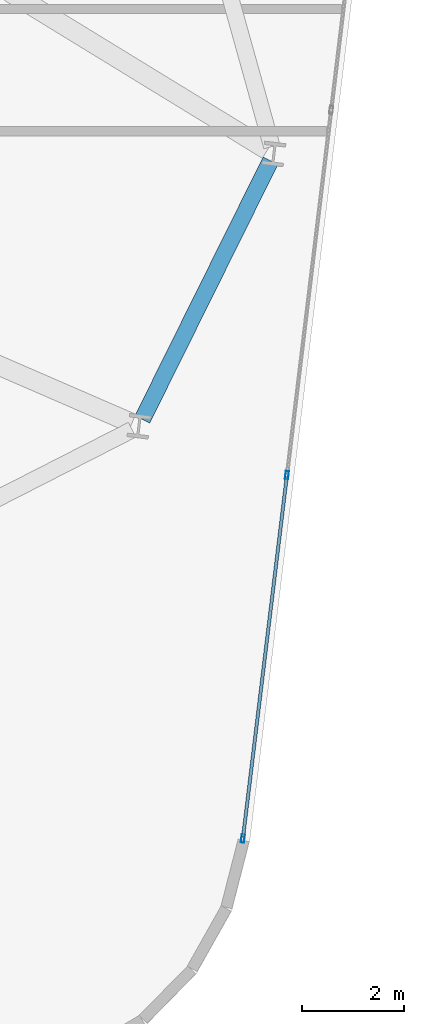
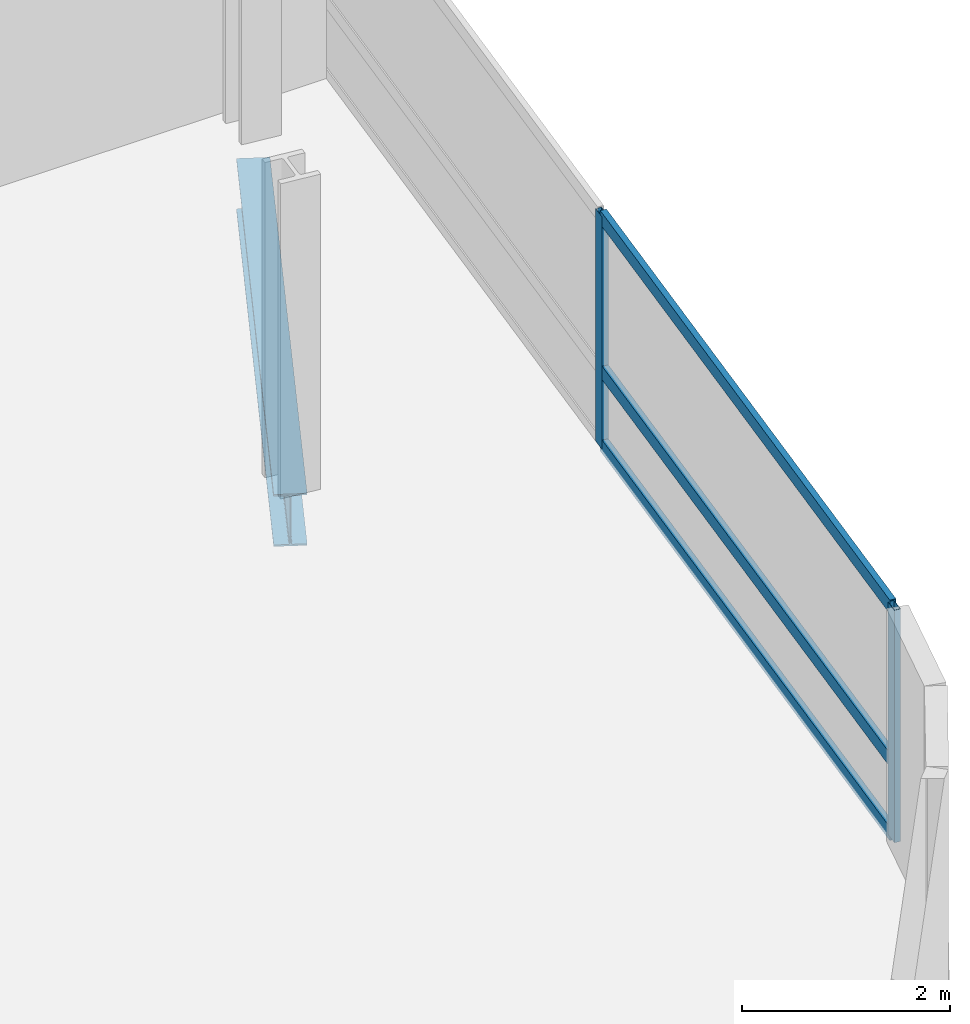
# One storey, part 14 of 26: 5 members, 1 beam, 1 element without a shape of its own.
"""IFC4 building model written with IfcOpenShell, lengths in metres."""

from ifc_helpers import new_model, si_unit, direction, frame, origin, origin_2d, place, context, subcontext, project, spatial, hollow_rectangle, i_section, extrude, material, layer, layer_set, material_profile, profile_set, type_object, element, aggregate, save


model = new_model("IFC4")

# Units and contexts
model_context = context("Model", 3, precision=1e-05, world=origin(), true_north=direction((0.0, 1.0)))
body_context = subcontext(model_context, "Body", "Model", "MODEL_VIEW")
ifc_project = project(units=[si_unit("LENGTHUNIT", "METRE"), si_unit("AREAUNIT", "SQUARE_METRE"), si_unit("VOLUMEUNIT", "CUBIC_METRE"), si_unit("PLANEANGLEUNIT", "RADIAN"), si_unit("MASSUNIT", "GRAM", prefix="KILO")], contexts=[model_context])

# Site, building, storey
site_placement = place(None, origin())
site = spatial("IfcSite", under=ifc_project, at=site_placement, CompositionType="ELEMENT")
building_placement = place(site_placement, origin())
building = spatial("IfcBuilding", under=site, at=building_placement, Name="Varnelok Gate Tower", CompositionType="ELEMENT")
storey_placement = place(building_placement, frame((0.0, 0.0, 129.10009765625)))
storey = spatial("IfcBuildingStorey", under=building, at=storey_placement, Name="L32", CompositionType="ELEMENT", Elevation=129.10009765625)

# Beam
ifc_material_1 = material(Name="Structural Steel ASTM A992 Grade 50", Category="steel")
ifc_material_profile_1 = material_profile(ifc_material_1, i_section(OverallWidth=0.323974609375, OverallDepth=0.611083984375, WebThickness=0.0126953125, FlangeThickness=0.01904296875, FilletRadius=0.01806640625, at=origin_2d()), Name="W24X104")
ifc_profile_set_1 = profile_set([ifc_material_profile_1], Name="Structural Steel ASTM A992 Grade 50")
beam_type = type_object("IfcBeamType", Name="BM-SPN-W24X104", PredefinedType="SPANDREL", material=ifc_profile_set_1)
beam_placement = place(storey_placement, frame((71.859619140625, 11.20849609375, -0.5556640625), z_axis=(0.44413424616, 0.895960251009, 0.0), x_axis=(-0.895960251009, 0.44413424616, 0.0)))
element("IfcBeam", 1, at=beam_placement, inside=storey, type_object=beam_type, Name="L32 Perimeter Spandrel Beam 6", PredefinedType="SPANDREL", context=body_context, shape_type="SweptSolid", body=[
    extrude(i_section(OverallWidth=0.323974609375, OverallDepth=0.611083984375, WebThickness=0.0126953125, FlangeThickness=0.01904296875, FilletRadius=0.01806640625, at=origin_2d()), origin(), (0.0, 0.0, 1.0), 5.64990234375),
])

# Curtain wall, members
ifc_material_2 = material(Name="Anodized Aluminum Alloy 6063-T6", Category="aluminium")
ifc_layer = layer(ifc_material_2, 0.179931640625)
ifc_layer_set = layer_set([ifc_layer], Name="Anodized Aluminum Alloy 6063-T6")
curtain_wall_type = type_object("IfcCurtainWallType", Name="CW3-HOTEL-VISION", PredefinedType="USERDEFINED", material=ifc_layer_set)
curtain_wall_placement = place(storey_placement, origin())
curtain_wall = element("IfcCurtainWall", 2, at=curtain_wall_placement, inside=storey, type_object=curtain_wall_type, Name="L32 East End Vision Curtain Wall", ObjectType="UNITISED CURTAIN WALL", PredefinedType="USERDEFINED")
ifc_material_profile_2 = material_profile(ifc_material_2, hollow_rectangle(XDim=0.06494140625, YDim=0.159912109375, WallThickness=0.00390625, at=origin_2d()), Name="ALU160X65X4")
ifc_profile_set_2 = profile_set([ifc_material_profile_2], Name="Anodized Aluminum Alloy 6063-T6")
member_type_1 = type_object("IfcMemberType", Name="CW-MULL-160", PredefinedType="MULLION", material=ifc_profile_set_2)
member_1_placement = place(storey_placement, frame((74.69091796875, 10.118408203125, 0.0), z_axis=(0.0, 0.0, 1.0), x_axis=(0.99273188146, -0.120347046212, 0.0)))
member_1 = element("IfcMember", 3, at=member_1_placement, type_object=member_type_1, Name="CW3 mullion 5", PredefinedType="MULLION", context=body_context, shape_type="SweptSolid", body=[
    extrude(hollow_rectangle(XDim=0.06494140625, YDim=0.159912109375, WallThickness=0.00390625, at=origin_2d()), origin(), (0.0, 0.0, 1.0), 2.72998046875),
])
member_2_placement = place(storey_placement, frame((73.828369140625, 3.003173828125, 0.0), z_axis=(0.0, 0.0, 1.0), x_axis=(0.99273188146, -0.120347046212, 0.0)))
member_2 = element("IfcMember", 4, at=member_2_placement, type_object=member_type_1, Name="CW3 mullion 6", PredefinedType="MULLION", context=body_context, shape_type="SweptSolid", body=[
    extrude(hollow_rectangle(XDim=0.06494140625, YDim=0.159912109375, WallThickness=0.00390625, at=origin_2d()), origin(), (0.0, 0.0, 1.0), 2.72998046875),
])
ifc_material_profile_3 = material_profile(ifc_material_2, hollow_rectangle(XDim=0.06494140625, YDim=0.159912109375, WallThickness=0.00390625, at=origin_2d()), Name="ALU160X65X4")
ifc_profile_set_3 = profile_set([ifc_material_profile_3], Name="Anodized Aluminum Alloy 6063-T6")
member_type_2 = type_object("IfcMemberType", Name="CW-TRAN-160", PredefinedType="USERDEFINED", material=ifc_profile_set_3)
member_3_placement = place(storey_placement, frame((74.68701171875, 10.086181640625, 0.032470703125), z_axis=(-0.120344712857, -0.992732164326, 0.0), x_axis=(0.992732164326, -0.120344712857, 0.0)))
member_3 = element("IfcMember", 5, at=member_3_placement, type_object=member_type_2, Name="CW3 transom 5.1", ObjectType="TRANSOM", PredefinedType="USERDEFINED", context=body_context, shape_type="SweptSolid", body=[
    extrude(hollow_rectangle(XDim=0.06494140625, YDim=0.159912109375, WallThickness=0.00390625, at=origin_2d()), origin(), (0.0, 0.0, 1.0), 7.102294921875),
])
member_4_placement = place(storey_placement, frame((74.68701171875, 10.086181640625, 0.89990234375), z_axis=(-0.120344712857, -0.992732164326, 0.0), x_axis=(0.992732164326, -0.120344712857, 0.0)))
member_4 = element("IfcMember", 6, at=member_4_placement, type_object=member_type_2, Name="CW3 transom 5.2", ObjectType="TRANSOM", PredefinedType="USERDEFINED", context=body_context, shape_type="SweptSolid", body=[
    extrude(hollow_rectangle(XDim=0.06494140625, YDim=0.159912109375, WallThickness=0.00390625, at=origin_2d()), origin(), (0.0, 0.0, 1.0), 7.102294921875),
])
member_5_placement = place(storey_placement, frame((74.68701171875, 10.086181640625, 2.697509765625), z_axis=(-0.120344712857, -0.992732164326, 0.0), x_axis=(0.992732164326, -0.120344712857, 0.0)))
member_5 = element("IfcMember", 7, at=member_5_placement, type_object=member_type_2, Name="CW3 transom 5.3", ObjectType="TRANSOM", PredefinedType="USERDEFINED", context=body_context, shape_type="SweptSolid", body=[
    extrude(hollow_rectangle(XDim=0.06494140625, YDim=0.159912109375, WallThickness=0.00390625, at=origin_2d()), origin(), (0.0, 0.0, 1.0), 7.102294921875),
])
aggregate(curtain_wall, [member_1, member_2, member_3, member_4, member_5])

save(model, "model.ifc")
